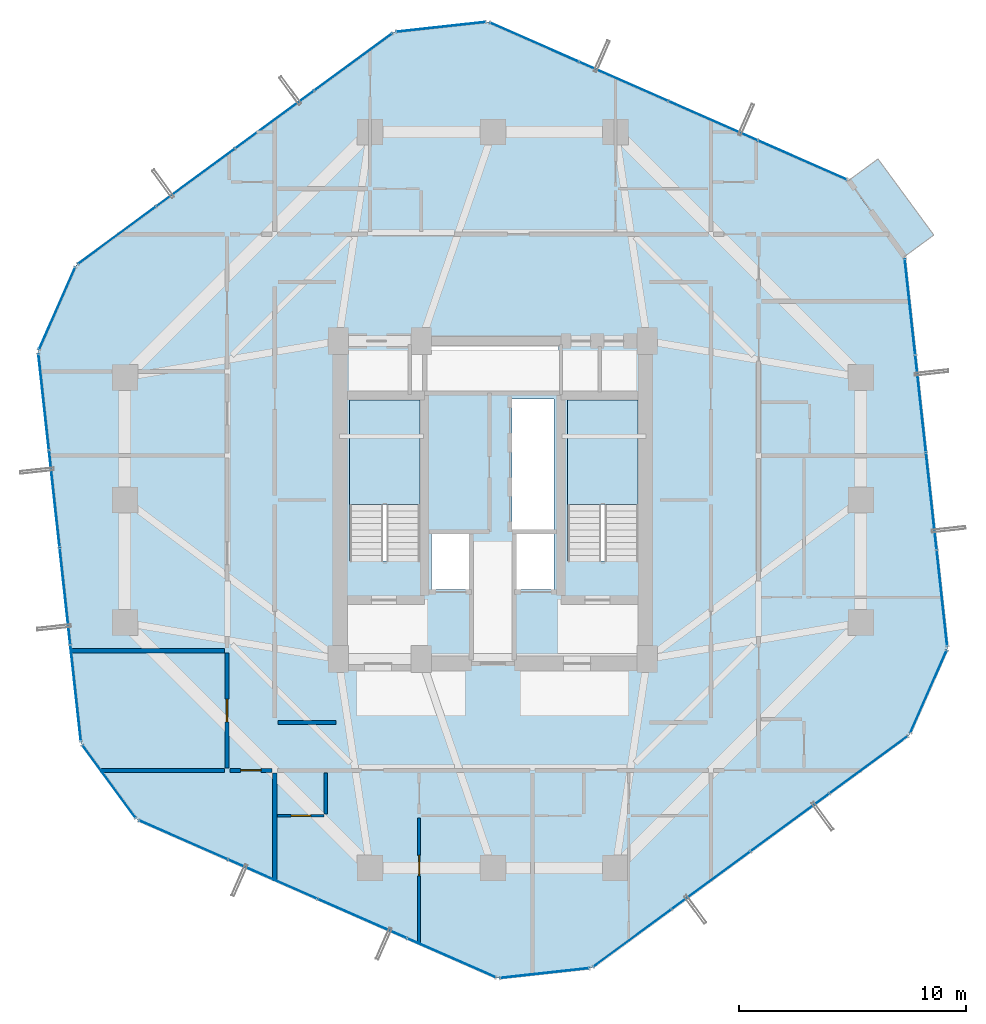
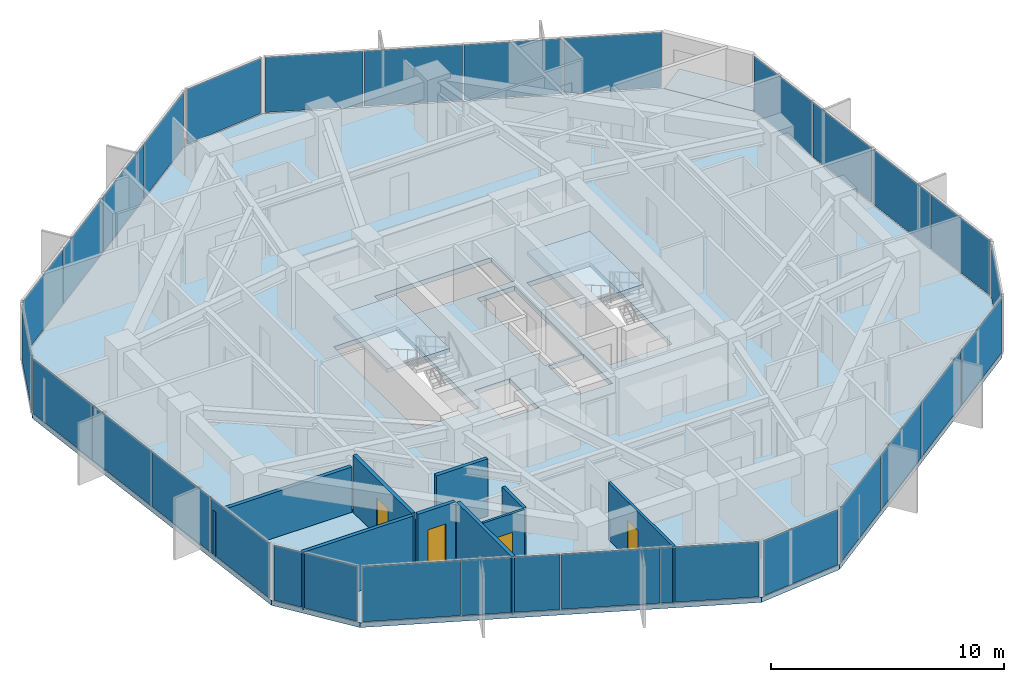
# One storey, part 28 of 34: 29 plates, 9 walls, 4 doors, 4 slabs, 4 openings, 13 elements without a shape of their own.
"""IFC4 building model written with IfcOpenShell, lengths in metres."""

import ifcopenshell
import ifcopenshell.guid

model = None  # the IFC model being written
_history = None  # IfcOwnerHistory: only IFC2X3 demands one
_inside = {}  # id of a spatial element -> (the spatial element, [elements in it])
_under = {}  # id of a project, library or spatial element -> (it, [spatial elements below it])
_declared = {}  # id of a project -> (the project, [libraries it declares])
_typed = {}  # id of a type object -> (the type object, [elements of that type])
_made_of = {}  # id of a material, layer set ... -> (it, [elements and type objects made of it])


def new_model(schema):
    """Start an empty IFC model of exactly this schema.

    Asked for "IFC4X3", IfcOpenShell would pick the latest addendum, in which some entities
    have other attributes; the version numbers below select the first issue.
    IFC2X3 requires an IfcOwnerHistory on every rooted entity: one is made here for all.
    """
    global model, _history
    if schema == "IFC4X3":
        model = ifcopenshell.file(schema_version=(4, 3, 0, 0))
    else:
        model = ifcopenshell.file(schema=schema)
    _inside.clear()
    _under.clear()
    _declared.clear()
    _typed.clear()
    _made_of.clear()
    _history = None
    if model.schema == "IFC2X3":
        org = make("IfcOrganization", Name="unknown")
        user = make(
            "IfcPersonAndOrganization",
            ThePerson=make("IfcPerson", FamilyName="unknown"),
            TheOrganization=org,
        )
        app = make(
            "IfcApplication",
            ApplicationDeveloper=org,
            Version="unknown",
            ApplicationFullName="unknown",
            ApplicationIdentifier="unknown",
        )
        _history = make(
            "IfcOwnerHistory",
            OwningUser=user,
            OwningApplication=app,
            ChangeAction="ADDED",
            CreationDate=0,
        )
    return model


def make(cls, **values):
    """One entity of the class cls with the attributes given. An attribute that is None is left unset."""
    return model.create_entity(
        cls, **{name: value for name, value in values.items() if value is not None}
    )


def rooted(cls, **values):
    """An entity with a GlobalId (a new one), such as an element, a storey or a relation."""
    return make(cls, GlobalId=ifcopenshell.guid.new(), OwnerHistory=_history, **values)


def si_unit(unit_type, name, prefix=None):
    """IfcSIUnit, for example si_unit("LENGTHUNIT", "METRE", prefix="MILLI")."""
    return make("IfcSIUnit", UnitType=unit_type, Prefix=prefix, Name=name)


def assignment(units):
    """IfcUnitAssignment: the units of a project."""
    return None if units is None else make("IfcUnitAssignment", Units=units)


def point(xyz):
    """IfcCartesianPoint."""
    return None if xyz is None else make("IfcCartesianPoint", Coordinates=xyz)


def direction(xyz):
    """IfcDirection."""
    return None if xyz is None else make("IfcDirection", DirectionRatios=xyz)


def frame(location, z_axis=None, x_axis=None):
    """IfcAxis2Placement3D, a coordinate frame: its origin and axes. An axis left out is left unset."""
    return make(
        "IfcAxis2Placement3D",
        Location=point(location),
        Axis=direction(z_axis),
        RefDirection=direction(x_axis),
    )


def frame_2d(location, x_axis=None):
    """IfcAxis2Placement2D, a coordinate frame in the plane: its origin and x axis."""
    return make(
        "IfcAxis2Placement2D", Location=point(location), RefDirection=direction(x_axis)
    )


def origin():
    """The frame at (0, 0, 0) with its axes left unset."""
    return frame((0.0, 0.0, 0.0))


def origin_2d():
    """The frame at (0, 0) in the plane with its x axis left unset."""
    return frame_2d((0.0, 0.0))


def place(relative_to, where):
    """IfcLocalPlacement: puts the frame where relative to a parent placement (None: the world)."""
    return make(
        "IfcLocalPlacement", PlacementRelTo=relative_to, RelativePlacement=where
    )


def context(
    kind, dimensions, precision=None, world=None, true_north=None, identifier=None
):
    """IfcGeometricRepresentationContext, for example the 3D "Model" context."""
    return make(
        "IfcGeometricRepresentationContext",
        ContextIdentifier=identifier,
        ContextType=kind,
        CoordinateSpaceDimension=dimensions,
        Precision=precision,
        WorldCoordinateSystem=world,
        TrueNorth=true_north,
    )


def subcontext(parent, identifier, kind, view, scale=None):
    """IfcGeometricRepresentationSubContext, for example "Body" below "Model"."""
    return make(
        "IfcGeometricRepresentationSubContext",
        ContextIdentifier=identifier,
        ContextType=kind,
        ParentContext=parent,
        TargetScale=scale,
        TargetView=view,
    )


def project(units=None, contexts=None):
    """IfcProject with its units and contexts."""
    return rooted(
        "IfcProject",
        Name="project",
        RepresentationContexts=contexts,
        UnitsInContext=assignment(units),
    )


def spatial(cls, under=None, at=None, **own):
    """A site, building, storey or space (cls), placed at a placement, below another one or the project."""
    s = rooted(cls, ObjectPlacement=at, **own)
    if under is not None:
        _under.setdefault(under.id(), (under, []))[1].append(s)
    return s


def polyline(points):
    """IfcPolyline through the points."""
    return make("IfcPolyline", Points=[point(p) for p in points])


def profile(cls, at=None, kind="AREA", **sizes):
    """A parametric profile (cls). Its sizes go by their IFC names, for example OverallWidth=200.0."""
    return make(cls, ProfileType=kind, Position=at, **sizes)


def rectangle(**sizes):
    """IfcRectangleProfileDef."""
    return profile("IfcRectangleProfileDef", **sizes)


def outline(outer, holes=None, kind="AREA"):
    """IfcArbitraryClosedProfileDef: a profile drawn as a closed curve; with holes, ...WithVoids."""
    if holes is None:
        return make("IfcArbitraryClosedProfileDef", ProfileType=kind, OuterCurve=outer)
    return make(
        "IfcArbitraryProfileDefWithVoids",
        ProfileType=kind,
        OuterCurve=outer,
        InnerCurves=holes,
    )


def extrude(swept, where, along, depth):
    """IfcExtrudedAreaSolid: the profile swept, set in the frame where, extruded along a direction by depth."""
    return make(
        "IfcExtrudedAreaSolid",
        SweptArea=swept,
        Position=where,
        ExtrudedDirection=direction(along),
        Depth=depth,
    )


def shape(context_of_items, identifier, shape_type, items):
    """IfcShapeRepresentation: the items that make up one representation, for example the "Body"."""
    return make(
        "IfcShapeRepresentation",
        ContextOfItems=context_of_items,
        RepresentationIdentifier=identifier,
        RepresentationType=shape_type,
        Items=items,
    )


def source(mapping_origin, context_of_items, identifier, shape_type, items):
    """IfcRepresentationMap: a shape defined once, which mapped items show again and again."""
    return make(
        "IfcRepresentationMap",
        MappingOrigin=mapping_origin,
        MappedRepresentation=shape(context_of_items, identifier, shape_type, items),
    )


def transform(
    local_origin,
    x_axis=None,
    y_axis=None,
    z_axis=None,
    scale=None,
    scale2=None,
    scale3=None,
    uniform=True,
):
    """IfcCartesianTransformationOperator3D, or its non-uniform kind. x_axis, y_axis, z_axis: its Axis1, 2, 3."""
    if uniform:
        return make(
            "IfcCartesianTransformationOperator3D",
            Axis1=direction(x_axis),
            Axis2=direction(y_axis),
            LocalOrigin=point(local_origin),
            Scale=scale,
            Axis3=direction(z_axis),
        )
    return make(
        "IfcCartesianTransformationOperator3DnonUniform",
        Axis1=direction(x_axis),
        Axis2=direction(y_axis),
        LocalOrigin=point(local_origin),
        Scale=scale,
        Axis3=direction(z_axis),
        Scale2=scale2,
        Scale3=scale3,
    )


def mapped(mapping_source, mapping_target):
    """IfcMappedItem: shows the shape of a source again, moved by a transform."""
    return make(
        "IfcMappedItem", MappingSource=mapping_source, MappingTarget=mapping_target
    )


def material(Name=None, Category=None):
    """IfcMaterial."""
    return make("IfcMaterial", Name=Name, Category=Category)


def layer(
    of_material, thickness, ventilated=None, Name=None, Category=None, Priority=None
):
    """IfcMaterialLayer: one layer of a wall or slab, of a material (None: an air gap)."""
    return make(
        "IfcMaterialLayer",
        Material=of_material,
        LayerThickness=thickness,
        IsVentilated=ventilated,
        Name=Name,
        Category=Category,
        Priority=Priority,
    )


def layer_set(layers, Name=None):
    """IfcMaterialLayerSet."""
    return make("IfcMaterialLayerSet", MaterialLayers=layers, LayerSetName=Name)


def made_of(thing, what):
    """Note that an element or type object is made of a material, layer set ...; save() writes the relation."""
    if what is not None:
        _made_of.setdefault(what.id(), (what, []))[1].append(thing)
    return thing


def type_object(cls, material=None, **own):
    """A type object (cls), such as IfcWallType, which elements share."""
    return made_of(rooted(cls, **own), material)


def element(
    cls,
    number,
    at=None,
    inside=None,
    cuts=None,
    type_object=None,
    material=None,
    context=None,
    identifier="Body",
    shape_type=None,
    held_by="IfcProductDefinitionShape",
    body=None,
    shapes=None,
    **own,
):
    """One element of the class cls, such as IfcWall. Its Tag is "e" and its number.

    at: its placement. inside: the storey or other place that contains it. cuts: it is an
    opening in that element (IfcRelVoidsElement). A single representation is given by context,
    identifier, shape_type and body (its items); several are given by shapes. held_by: the class
    of the entity that holds the representations. save() writes the other relations.
    """
    e = rooted(cls, Tag="e%d" % number, ObjectPlacement=at, **own)
    if body is not None:
        shapes = [shape(context, identifier, shape_type, body)]
    if shapes is not None:
        e.Representation = make(held_by, Representations=shapes)
    if inside is not None:
        _inside.setdefault(inside.id(), (inside, []))[1].append(e)
    if cuts is not None:
        rooted(
            "IfcRelVoidsElement", RelatingBuildingElement=cuts, RelatedOpeningElement=e
        )
    if type_object is not None:
        _typed.setdefault(type_object.id(), (type_object, []))[1].append(e)
    return made_of(e, material)


def fill(opening, filler):
    """IfcRelFillsElement: the door or window that sits in an opening."""
    return rooted(
        "IfcRelFillsElement",
        RelatingOpeningElement=opening,
        RelatedBuildingElement=filler,
    )


def aggregate(whole, parts):
    """IfcRelAggregates: a whole, such as a stair, and the parts it consists of."""
    return rooted("IfcRelAggregates", RelatingObject=whole, RelatedObjects=parts)


def save(model, path):
    """Write the relations noted so far, then the file.

    IfcRelAggregates (storeys below a building ...), IfcRelContainedInSpatialStructure (elements
    in a storey), IfcRelDefinesByType, IfcRelAssociatesMaterial and IfcRelDeclares: one each for
    every whole, place, type object, material and project.
    """
    for whole, parts in _under.values():
        aggregate(whole, parts)
    for where, things in _inside.values():
        rooted(
            "IfcRelContainedInSpatialStructure",
            RelatedElements=things,
            RelatingStructure=where,
        )
    for kind, things in _typed.values():
        rooted("IfcRelDefinesByType", RelatedObjects=things, RelatingType=kind)
    for what, things in _made_of.values():
        rooted("IfcRelAssociatesMaterial", RelatedObjects=things, RelatingMaterial=what)
    for by, libraries in _declared.values():
        rooted("IfcRelDeclares", RelatingContext=by, RelatedDefinitions=libraries)
    model.write(path)


model = new_model("IFC4")

# Units and contexts
model_context = context("Model", 3, precision=1e-05, world=origin(), true_north=direction((0.0, 1.0)))
body_context = subcontext(model_context, "Body", "Model", "MODEL_VIEW")
ifc_project = project(units=[si_unit("LENGTHUNIT", "METRE"), si_unit("AREAUNIT", "SQUARE_METRE"), si_unit("VOLUMEUNIT", "CUBIC_METRE"), si_unit("PLANEANGLEUNIT", "RADIAN"), si_unit("MASSUNIT", "GRAM", prefix="KILO")], contexts=[model_context])

# Site, building, storey
site_placement = place(None, origin())
site = spatial("IfcSite", under=ifc_project, at=site_placement, CompositionType="ELEMENT")
building_placement = place(site_placement, origin())
building = spatial("IfcBuilding", under=site, at=building_placement, Name="Veraguas Prism Commons", CompositionType="ELEMENT")
storey_placement = place(building_placement, frame((0.0, 0.0, 149.0)))
storey = spatial("IfcBuildingStorey", under=building, at=storey_placement, Name="L42", CompositionType="ELEMENT", Elevation=149.0)

# Stair, slab
ifc_material_1 = material(Name="Precast concrete C45/55", Category="concrete")
stair_type = type_object("IfcStairType", Name="Dogleg Core Stair 1480W 20R 05", PredefinedType="HALF_TURN_STAIR", material=ifc_material_1)
stair_1_placement = place(storey_placement, origin())
stair_1 = element("IfcStair", 1, at=stair_1_placement, inside=storey, type_object=stair_type, Name="Protected Exit Stair ST-01 L42", PredefinedType="HALF_TURN_STAIR")
ifc_layer_1 = layer(ifc_material_1, 0.199951171875, Name="Precast Stair and Ramp Landing Slab 200", Category="concrete")
ifc_layer_set_1 = layer_set([ifc_layer_1], Name="Precast concrete C45/55")
slab_type_1 = type_object("IfcSlabType", Name="Precast Stair and Ramp Landing Slab 200", PredefinedType="LANDING", material=ifc_layer_set_1)
slab_1_placement = place(storey_placement, frame((0.0, 0.0, 1.425048828125)))
slab_1 = element("IfcSlab", 2, at=slab_1_placement, type_object=slab_type_1, Name="ST-05 Landing 1", PredefinedType="LANDING", context=body_context, shape_type="SweptSolid", body=[
    extrude(outline(polyline([(20.800048828125, 23.800048828125), (20.800048828125, 28.39990234375), (17.68994140625, 28.39990234375), (17.68994140625, 23.800048828125), (20.800048828125, 23.800048828125)])), origin(), (0.0, 0.0, 1.0), 0.199951171875),
])
aggregate(stair_1, [slab_1])

stair_2_placement = place(storey_placement, origin())
stair_2 = element("IfcStair", 3, at=stair_2_placement, inside=storey, type_object=stair_type, Name="Protected Exit Stair ST-02 L42", PredefinedType="HALF_TURN_STAIR")
slab_2_placement = place(storey_placement, frame((0.0, 0.0, 1.425048828125)))
slab_2 = element("IfcSlab", 4, at=slab_2_placement, type_object=slab_type_1, Name="ST-05 Landing 1", PredefinedType="LANDING", context=body_context, shape_type="SweptSolid", body=[
    extrude(outline(polyline([(30.39990234375, 23.800048828125), (30.39990234375, 28.39990234375), (27.2900390625, 28.39990234375), (27.2900390625, 23.800048828125), (30.39990234375, 23.800048828125)])), origin(), (0.0, 0.0, 1.0), 0.199951171875),
])
aggregate(stair_2, [slab_2])

# Slabs
ifc_material_2 = material(Name="Concrete C45/55", Category="concrete")
ifc_layer_2 = layer(ifc_material_2, 0.219970703125, Name="Recessed Loggia and Terrace Slab RC 220", Category="concrete")
ifc_layer_set_2 = layer_set([ifc_layer_2], Name="Concrete C45/55")
slab_type_2 = type_object("IfcSlabType", Name="Recessed Loggia and Terrace Slab RC 220", PredefinedType="FLOOR", material=ifc_layer_set_2)
slab_3_placement = place(storey_placement, frame((0.0, 0.0, -0.219970703125)))
element("IfcSlab", 5, at=slab_3_placement, inside=storey, type_object=slab_type_2, Name="Recessed Corner Loggia L42-C1", PredefinedType="FLOOR", context=body_context, shape_type="SweptSolid", body=[
    extrude(outline(polyline([(42.105712890625, 34.705322265625), (43.412109375, 35.663330078125), (40.955810546875, 39.01220703125), (39.6494140625, 38.05419921875), (42.105712890625, 34.705322265625)])), origin(), (0.0, 0.0, 1.0), 0.219970703125),
])
ifc_layer_3 = layer(ifc_material_2, 0.25, Name="Tower Lower Residential Floor Slab RC 250", Category="concrete")
ifc_layer_set_3 = layer_set([ifc_layer_3], Name="Concrete C45/55")
slab_type_3 = type_object("IfcSlabType", Name="Tower Lower Residential Floor Slab RC 250", PredefinedType="FLOOR", material=ifc_layer_set_3)
slab_4_placement = place(storey_placement, frame((0.0, 0.0, -0.25)))
element("IfcSlab", 6, at=slab_4_placement, inside=storey, type_object=slab_type_3, Name="Tower Floor Slab L42", PredefinedType="FLOOR", context=body_context, shape_type="SweptSolid", body=[
    extrude(outline(polyline([(42.121826171875, 34.717041015625), (39.66552734375, 38.06591796875), (23.77978515625, 45.052490234375), (19.6513671875, 44.599609375), (5.65771484375, 34.33544921875), (3.98583984375, 30.53369140625), (5.878173828125, 13.282958984375), (8.33447265625, 9.93408203125), (24.22021484375, 2.947509765625), (28.3486328125, 3.400390625), (42.34228515625, 13.66455078125), (44.01416015625, 17.46630859375), (42.121826171875, 34.717041015625)]), holes=[polyline([(20.800048828125, 21.31005859375), (20.800048828125, 28.39990234375), (17.68994140625, 28.39990234375), (17.68994140625, 21.31005859375), (20.800048828125, 21.31005859375)]), polyline([(30.39990234375, 21.31005859375), (30.39990234375, 28.39990234375), (27.2900390625, 28.39990234375), (27.2900390625, 21.31005859375), (30.39990234375, 21.31005859375)]), polyline([(24.85009765625, 22.64990234375), (26.699951171875, 22.64990234375), (26.699951171875, 28.449951171875), (24.85009765625, 28.449951171875), (24.85009765625, 22.64990234375)]), polyline([(21.10009765625, 28.800048828125), (26.89990234375, 28.800048828125), (26.89990234375, 30.800048828125), (21.10009765625, 30.800048828125), (21.10009765625, 28.800048828125)]), polyline([(21.300048828125, 20.050048828125), (23.050048828125, 20.050048828125), (23.050048828125, 22.550048828125), (21.300048828125, 22.550048828125), (21.300048828125, 20.050048828125)]), polyline([(24.949951171875, 20.050048828125), (26.699951171875, 20.050048828125), (26.699951171875, 22.550048828125), (24.949951171875, 22.550048828125), (24.949951171875, 20.050048828125)])]), origin(), (0.0, 0.0, 1.0), 0.25),
])

# Curtain wall, plates
ifc_material_3 = material(Name="Anodised aluminium EN AW-6063 T6", Category="aluminium")
ifc_layer_4 = layer(ifc_material_3, 0.169921875, Name="Unitised Flush Curtain Wall Zone 2", Category="aluminium")
ifc_layer_set_4 = layer_set([ifc_layer_4], Name="Anodised aluminium EN AW-6063 T6")
curtain_wall_type = type_object("IfcCurtainWallType", Name="Unitised Flush Curtain Wall Zone 2", PredefinedType="NOTDEFINED", material=ifc_layer_set_4)
curtain_wall_1_placement = place(storey_placement, origin())
curtain_wall_1 = element("IfcCurtainWall", 7, at=curtain_wall_1_placement, inside=storey, type_object=curtain_wall_type, Name="Tower Facade Curtain Wall L42-F1", PredefinedType="NOTDEFINED")
ifc_material_4 = material(Name="Laminated low-e glass", Category="glass")
ifc_layer_5 = layer(ifc_material_4, 0.028076171875, Name="Unitised Double Low-E Glazed Panel 28", Category="glass")
ifc_layer_set_5 = layer_set([ifc_layer_5], Name="Laminated low-e glass")
plate_type = type_object("IfcPlateType", Name="Unitised Double Low-E Glazed Panel 28", PredefinedType="CURTAIN_PANEL", material=ifc_layer_set_5)
shared_shape_1 = source(origin(), body_context, "Body", "SweptSolid", [
    extrude(rectangle(XDim=4.218505859375, YDim=0.028076171875, at=origin_2d()), origin(), (0.0, 0.0, 1.0), 2.889892578125),
])
plate_1_placement = place(storey_placement, frame((37.625, 38.963623046875, 0.05517578125), z_axis=(0.0, 0.0, 1.0), x_axis=(-0.915385270935, 0.402578943507, 0.0)))
plate_1 = element("IfcPlate", 8, at=plate_1_placement, type_object=plate_type, Name="CW-Z2 Panel 1.1", PredefinedType="CURTAIN_PANEL", context=body_context, shape_type="MappedRepresentation", body=[
    mapped(shared_shape_1, transform((0.0, 0.0, 0.0), scale=1.0)),
])
plate_2_placement = place(storey_placement, frame((25.8203125, 44.155029296875, 0.05517578125), z_axis=(0.0, 0.0, 1.0), x_axis=(-0.915385270935, 0.402578943507, 0.0)))
plate_2 = element("IfcPlate", 9, at=plate_2_placement, type_object=plate_type, Name="CW-Z2 Panel 4.1", PredefinedType="CURTAIN_PANEL", context=body_context, shape_type="MappedRepresentation", body=[
    mapped(shared_shape_1, transform((0.0, 0.0, 0.0), scale=1.0)),
])

curtain_wall_2_placement = place(storey_placement, origin())
curtain_wall_2 = element("IfcCurtainWall", 10, at=curtain_wall_2_placement, inside=storey, type_object=curtain_wall_type, Name="Tower Facade Curtain Wall L42-F2", PredefinedType="NOTDEFINED")
plate_3_placement = place(storey_placement, frame((17.853759765625, 43.28125, 0.05517578125), z_axis=(0.0, 0.0, 1.0), x_axis=(-0.806343453529, -0.591447575826, 0.0)))
plate_3 = element("IfcPlate", 11, at=plate_3_placement, type_object=plate_type, Name="CW-Z2 Panel 1.1", PredefinedType="CURTAIN_PANEL", context=body_context, shape_type="MappedRepresentation", body=[
    mapped(shared_shape_1, transform((0.0, 0.0, 0.0), scale=1.0)),
])
plate_4_placement = place(storey_placement, frame((7.455322265625, 35.654052734375, 0.05517578125), z_axis=(0.0, 0.0, 1.0), x_axis=(-0.806343453529, -0.591447575826, 0.0)))
plate_4 = element("IfcPlate", 12, at=plate_4_placement, type_object=plate_type, Name="CW-Z2 Panel 4.1", PredefinedType="CURTAIN_PANEL", context=body_context, shape_type="MappedRepresentation", body=[
    mapped(shared_shape_1, transform((0.0, 0.0, 0.0), scale=1.0)),
])

curtain_wall_3_placement = place(storey_placement, origin())
curtain_wall_3 = element("IfcCurtainWall", 13, at=curtain_wall_3_placement, inside=storey, type_object=curtain_wall_type, Name="Tower Facade Curtain Wall L42-F3", PredefinedType="NOTDEFINED")
plate_5_placement = place(storey_placement, frame((4.228759765625, 28.31787109375, 0.05517578125), z_axis=(0.0, 0.0, 1.0), x_axis=(0.109043838598, -0.994036941599, 0.0)))
plate_5 = element("IfcPlate", 14, at=plate_5_placement, type_object=plate_type, Name="CW-Z2 Panel 1.1", PredefinedType="CURTAIN_PANEL", context=body_context, shape_type="MappedRepresentation", body=[
    mapped(shared_shape_1, transform((0.0, 0.0, 0.0), scale=1.0)),
])
plate_6_placement = place(storey_placement, frame((5.635009765625, 15.498779296875, 0.05517578125), z_axis=(0.0, 0.0, 1.0), x_axis=(0.109043838598, -0.994036941599, 0.0)))
plate_6 = element("IfcPlate", 15, at=plate_6_placement, type_object=plate_type, Name="CW-Z2 Panel 4.1", PredefinedType="CURTAIN_PANEL", context=body_context, shape_type="MappedRepresentation", body=[
    mapped(shared_shape_1, transform((0.0, 0.0, 0.0), scale=1.0)),
])

curtain_wall_4_placement = place(storey_placement, origin())
curtain_wall_4 = element("IfcCurtainWall", 16, at=curtain_wall_4_placement, inside=storey, type_object=curtain_wall_type, Name="Tower Facade Curtain Wall L42-F4", PredefinedType="NOTDEFINED")
plate_7_placement = place(storey_placement, frame((10.375, 9.036376953125, 0.05517578125), z_axis=(0.0, 0.0, 1.0), x_axis=(0.915385270935, -0.402578943507, 0.0)))
plate_7 = element("IfcPlate", 17, at=plate_7_placement, type_object=plate_type, Name="CW-Z2 Panel 1.1", PredefinedType="CURTAIN_PANEL", context=body_context, shape_type="MappedRepresentation", body=[
    mapped(shared_shape_1, transform((0.0, 0.0, 0.0), scale=1.0)),
])
plate_8_placement = place(storey_placement, frame((22.1796875, 3.844970703125, 0.05517578125), z_axis=(0.0, 0.0, 1.0), x_axis=(0.915385270935, -0.402578943507, 0.0)))
plate_8 = element("IfcPlate", 18, at=plate_8_placement, type_object=plate_type, Name="CW-Z2 Panel 4.1", PredefinedType="CURTAIN_PANEL", context=body_context, shape_type="MappedRepresentation", body=[
    mapped(shared_shape_1, transform((0.0, 0.0, 0.0), scale=1.0)),
])

curtain_wall_5_placement = place(storey_placement, origin())
curtain_wall_5 = element("IfcCurtainWall", 19, at=curtain_wall_5_placement, inside=storey, type_object=curtain_wall_type, Name="Tower Facade Curtain Wall L42-F5", PredefinedType="NOTDEFINED")
plate_9_placement = place(storey_placement, frame((30.146240234375, 4.71875, 0.05517578125), z_axis=(0.0, 0.0, 1.0), x_axis=(0.806343453529, 0.591447575826, 0.0)))
plate_9 = element("IfcPlate", 20, at=plate_9_placement, type_object=plate_type, Name="CW-Z2 Panel 1.1", PredefinedType="CURTAIN_PANEL", context=body_context, shape_type="MappedRepresentation", body=[
    mapped(shared_shape_1, transform((0.0, 0.0, 0.0), scale=1.0)),
])
plate_10_placement = place(storey_placement, frame((40.544677734375, 12.345947265625, 0.05517578125), z_axis=(0.0, 0.0, 1.0), x_axis=(0.806343453529, 0.591447575826, 0.0)))
plate_10 = element("IfcPlate", 21, at=plate_10_placement, type_object=plate_type, Name="CW-Z2 Panel 4.1", PredefinedType="CURTAIN_PANEL", context=body_context, shape_type="MappedRepresentation", body=[
    mapped(shared_shape_1, transform((0.0, 0.0, 0.0), scale=1.0)),
])

curtain_wall_6_placement = place(storey_placement, origin())
curtain_wall_6 = element("IfcCurtainWall", 22, at=curtain_wall_6_placement, inside=storey, type_object=curtain_wall_type, Name="Tower Facade Curtain Wall L42-F6", PredefinedType="NOTDEFINED")
plate_11_placement = place(storey_placement, frame((43.771240234375, 19.68212890625, 0.05517578125), z_axis=(0.0, 0.0, 1.0), x_axis=(-0.109043838598, 0.994036941599, 0.0)))
plate_11 = element("IfcPlate", 23, at=plate_11_placement, type_object=plate_type, Name="CW-Z2 Panel 1.1", PredefinedType="CURTAIN_PANEL", context=body_context, shape_type="MappedRepresentation", body=[
    mapped(shared_shape_1, transform((0.0, 0.0, 0.0), scale=1.0)),
])
plate_12_placement = place(storey_placement, frame((42.364990234375, 32.501220703125, 0.05517578125), z_axis=(0.0, 0.0, 1.0), x_axis=(-0.109043838598, 0.994036941599, 0.0)))
plate_12 = element("IfcPlate", 24, at=plate_12_placement, type_object=plate_type, Name="CW-Z2 Panel 4.1", PredefinedType="CURTAIN_PANEL", context=body_context, shape_type="MappedRepresentation", body=[
    mapped(shared_shape_1, transform((0.0, 0.0, 0.0), scale=1.0)),
])

# Plate
shared_shape_2 = source(origin(), body_context, "Body", "SweptSolid", [
    extrude(rectangle(XDim=4.24853515625, YDim=0.028076171875, at=origin_2d()), origin(), (0.0, 0.0, 1.0), 2.889892578125),
])
plate_13_placement = place(storey_placement, frame((33.694580078125, 40.692138671875, 0.05517578125), z_axis=(0.0, 0.0, 1.0), x_axis=(-0.915385270935, 0.402578943507, 0.0)))
plate_13 = element("IfcPlate", 25, at=plate_13_placement, type_object=plate_type, Name="CW-Z2 Panel 2.1", PredefinedType="CURTAIN_PANEL", context=body_context, shape_type="MappedRepresentation", body=[
    mapped(shared_shape_2, transform((0.0, 0.0, 0.0), scale=1.0)),
])

plate_14_placement = place(storey_placement, frame((29.750732421875, 42.426513671875, 0.05517578125), z_axis=(0.0, 0.0, 1.0), x_axis=(-0.915385270935, 0.402578943507, 0.0)))
plate_14 = element("IfcPlate", 26, at=plate_14_placement, type_object=plate_type, Name="CW-Z2 Panel 3.1", PredefinedType="CURTAIN_PANEL", context=body_context, shape_type="MappedRepresentation", body=[
    mapped(shared_shape_2, transform((0.0, 0.0, 0.0), scale=1.0)),
])

aggregate(curtain_wall_1, [plate_1, plate_13, plate_14, plate_2])

plate_15_placement = place(storey_placement, frame((14.3916015625, 40.74169921875, 0.05517578125), z_axis=(0.0, 0.0, 1.0), x_axis=(-0.806343453529, -0.591447575826, 0.0)))
plate_15 = element("IfcPlate", 27, at=plate_15_placement, type_object=plate_type, Name="CW-Z2 Panel 2.1", PredefinedType="CURTAIN_PANEL", context=body_context, shape_type="MappedRepresentation", body=[
    mapped(shared_shape_2, transform((0.0, 0.0, 0.0), scale=1.0)),
])

plate_16_placement = place(storey_placement, frame((10.91748046875, 38.193359375, 0.05517578125), z_axis=(0.0, 0.0, 1.0), x_axis=(-0.806343453529, -0.591447575826, 0.0)))
plate_16 = element("IfcPlate", 28, at=plate_16_placement, type_object=plate_type, Name="CW-Z2 Panel 3.1", PredefinedType="CURTAIN_PANEL", context=body_context, shape_type="MappedRepresentation", body=[
    mapped(shared_shape_2, transform((0.0, 0.0, 0.0), scale=1.0)),
])

aggregate(curtain_wall_2, [plate_3, plate_15, plate_16, plate_4])

plate_17_placement = place(storey_placement, frame((4.697021484375, 24.0498046875, 0.05517578125), z_axis=(0.0, 0.0, 1.0), x_axis=(0.109043838598, -0.994036941599, 0.0)))
plate_17 = element("IfcPlate", 29, at=plate_17_placement, type_object=plate_type, Name="CW-Z2 Panel 2.1", PredefinedType="CURTAIN_PANEL", context=body_context, shape_type="MappedRepresentation", body=[
    mapped(shared_shape_2, transform((0.0, 0.0, 0.0), scale=1.0)),
])

plate_18_placement = place(storey_placement, frame((5.166748046875, 19.766845703125, 0.05517578125), z_axis=(0.0, 0.0, 1.0), x_axis=(0.109043838598, -0.994036941599, 0.0)))
plate_18 = element("IfcPlate", 30, at=plate_18_placement, type_object=plate_type, Name="CW-Z2 Panel 3.1", PredefinedType="CURTAIN_PANEL", context=body_context, shape_type="MappedRepresentation", body=[
    mapped(shared_shape_2, transform((0.0, 0.0, 0.0), scale=1.0)),
])

aggregate(curtain_wall_3, [plate_5, plate_17, plate_18, plate_6])

plate_19_placement = place(storey_placement, frame((14.305419921875, 7.307861328125, 0.05517578125), z_axis=(0.0, 0.0, 1.0), x_axis=(0.915385270935, -0.402578943507, 0.0)))
plate_19 = element("IfcPlate", 31, at=plate_19_placement, type_object=plate_type, Name="CW-Z2 Panel 2.1", PredefinedType="CURTAIN_PANEL", context=body_context, shape_type="MappedRepresentation", body=[
    mapped(shared_shape_2, transform((0.0, 0.0, 0.0), scale=1.0)),
])

plate_20_placement = place(storey_placement, frame((18.249267578125, 5.573486328125, 0.05517578125), z_axis=(0.0, 0.0, 1.0), x_axis=(0.915385270935, -0.402578943507, 0.0)))
plate_20 = element("IfcPlate", 32, at=plate_20_placement, type_object=plate_type, Name="CW-Z2 Panel 3.1", PredefinedType="CURTAIN_PANEL", context=body_context, shape_type="MappedRepresentation", body=[
    mapped(shared_shape_2, transform((0.0, 0.0, 0.0), scale=1.0)),
])

aggregate(curtain_wall_4, [plate_7, plate_19, plate_20, plate_8])

plate_21_placement = place(storey_placement, frame((33.6083984375, 7.25830078125, 0.05517578125), z_axis=(0.0, 0.0, 1.0), x_axis=(0.806343453529, 0.591447575826, 0.0)))
plate_21 = element("IfcPlate", 33, at=plate_21_placement, type_object=plate_type, Name="CW-Z2 Panel 2.1", PredefinedType="CURTAIN_PANEL", context=body_context, shape_type="MappedRepresentation", body=[
    mapped(shared_shape_2, transform((0.0, 0.0, 0.0), scale=1.0)),
])

plate_22_placement = place(storey_placement, frame((37.08251953125, 9.806640625, 0.05517578125), z_axis=(0.0, 0.0, 1.0), x_axis=(0.806343453529, 0.591447575826, 0.0)))
plate_22 = element("IfcPlate", 34, at=plate_22_placement, type_object=plate_type, Name="CW-Z2 Panel 3.1", PredefinedType="CURTAIN_PANEL", context=body_context, shape_type="MappedRepresentation", body=[
    mapped(shared_shape_2, transform((0.0, 0.0, 0.0), scale=1.0)),
])

aggregate(curtain_wall_5, [plate_9, plate_21, plate_22, plate_10])

plate_23_placement = place(storey_placement, frame((43.302978515625, 23.9501953125, 0.05517578125), z_axis=(0.0, 0.0, 1.0), x_axis=(-0.109043838598, 0.994036941599, 0.0)))
plate_23 = element("IfcPlate", 35, at=plate_23_placement, type_object=plate_type, Name="CW-Z2 Panel 2.1", PredefinedType="CURTAIN_PANEL", context=body_context, shape_type="MappedRepresentation", body=[
    mapped(shared_shape_2, transform((0.0, 0.0, 0.0), scale=1.0)),
])

plate_24_placement = place(storey_placement, frame((42.833251953125, 28.233154296875, 0.05517578125), z_axis=(0.0, 0.0, 1.0), x_axis=(-0.109043838598, 0.994036941599, 0.0)))
plate_24 = element("IfcPlate", 36, at=plate_24_placement, type_object=plate_type, Name="CW-Z2 Panel 3.1", PredefinedType="CURTAIN_PANEL", context=body_context, shape_type="MappedRepresentation", body=[
    mapped(shared_shape_2, transform((0.0, 0.0, 0.0), scale=1.0)),
])

aggregate(curtain_wall_6, [plate_11, plate_23, plate_24, plate_12])

# Curtain wall, plate
curtain_wall_7_placement = place(storey_placement, origin())
curtain_wall_7 = element("IfcCurtainWall", 37, at=curtain_wall_7_placement, inside=storey, type_object=curtain_wall_type, Name="Chamfer Curtain Wall L42-C3", PredefinedType="NOTDEFINED")
shared_shape_3 = source(origin(), body_context, "Body", "SweptSolid", [
    extrude(rectangle(XDim=3.9130859375, YDim=0.028076171875, at=origin_2d()), origin(), (0.0, 0.0, 1.0), 2.889892578125),
])
plate_25_placement = place(storey_placement, frame((4.82177734375, 32.4345703125, 0.05517578125), z_axis=(0.0, 0.0, 1.0), x_axis=(-0.402543794939, -0.915400728182, 0.0)))
plate_25 = element("IfcPlate", 38, at=plate_25_placement, type_object=plate_type, Name="CW-Z2 Panel 1.1", PredefinedType="CURTAIN_PANEL", context=body_context, shape_type="MappedRepresentation", body=[
    mapped(shared_shape_3, transform((0.0, 0.0, 0.0), scale=1.0)),
])
aggregate(curtain_wall_7, [plate_25])

curtain_wall_8_placement = place(storey_placement, origin())
curtain_wall_8 = element("IfcCurtainWall", 39, at=curtain_wall_8_placement, inside=storey, type_object=curtain_wall_type, Name="Chamfer Curtain Wall L42-C4", PredefinedType="NOTDEFINED")
plate_26_placement = place(storey_placement, frame((7.106201171875, 11.6083984375, 0.05517578125), z_axis=(0.0, 0.0, 1.0), x_axis=(0.591432095034, -0.806354808359, 0.0)))
plate_26 = element("IfcPlate", 40, at=plate_26_placement, type_object=plate_type, Name="CW-Z2 Panel 1.1", PredefinedType="CURTAIN_PANEL", context=body_context, shape_type="MappedRepresentation", body=[
    mapped(shared_shape_3, transform((0.0, 0.0, 0.0), scale=1.0)),
])
aggregate(curtain_wall_8, [plate_26])

curtain_wall_9_placement = place(storey_placement, origin())
curtain_wall_9 = element("IfcCurtainWall", 41, at=curtain_wall_9_placement, inside=storey, type_object=curtain_wall_type, Name="Chamfer Curtain Wall L42-C6", PredefinedType="NOTDEFINED")
plate_27_placement = place(storey_placement, frame((43.17822265625, 15.5654296875, 0.05517578125), z_axis=(0.0, 0.0, 1.0), x_axis=(0.402543794939, 0.915400728182, 0.0)))
plate_27 = element("IfcPlate", 42, at=plate_27_placement, type_object=plate_type, Name="CW-Z2 Panel 1.1", PredefinedType="CURTAIN_PANEL", context=body_context, shape_type="MappedRepresentation", body=[
    mapped(shared_shape_3, transform((0.0, 0.0, 0.0), scale=1.0)),
])
aggregate(curtain_wall_9, [plate_27])

curtain_wall_10_placement = place(storey_placement, origin())
curtain_wall_10 = element("IfcCurtainWall", 43, at=curtain_wall_10_placement, inside=storey, type_object=curtain_wall_type, Name="Chamfer Curtain Wall L42-C2", PredefinedType="NOTDEFINED")
shared_shape_4 = source(origin(), body_context, "Body", "SweptSolid", [
    extrude(rectangle(XDim=3.913330078125, YDim=0.028076171875, at=origin_2d()), origin(), (0.0, 0.0, 1.0), 2.889892578125),
])
plate_28_placement = place(storey_placement, frame((21.715576171875, 44.826171875, 0.05517578125), z_axis=(0.0, 0.0, 1.0), x_axis=(-0.994034276859, -0.10906812747, 0.0)))
plate_28 = element("IfcPlate", 44, at=plate_28_placement, type_object=plate_type, Name="CW-Z2 Panel 1.1", PredefinedType="CURTAIN_PANEL", context=body_context, shape_type="MappedRepresentation", body=[
    mapped(shared_shape_4, transform((0.0, 0.0, 0.0), scale=1.0)),
])
aggregate(curtain_wall_10, [plate_28])

curtain_wall_11_placement = place(storey_placement, origin())
curtain_wall_11 = element("IfcCurtainWall", 45, at=curtain_wall_11_placement, inside=storey, type_object=curtain_wall_type, Name="Chamfer Curtain Wall L42-C5", PredefinedType="NOTDEFINED")
plate_29_placement = place(storey_placement, frame((26.284423828125, 3.173828125, 0.05517578125), z_axis=(0.0, 0.0, 1.0), x_axis=(0.994034276859, 0.10906812747, 0.0)))
plate_29 = element("IfcPlate", 46, at=plate_29_placement, type_object=plate_type, Name="CW-Z2 Panel 1.1", PredefinedType="CURTAIN_PANEL", context=body_context, shape_type="MappedRepresentation", body=[
    mapped(shared_shape_4, transform((0.0, 0.0, 0.0), scale=1.0)),
])
aggregate(curtain_wall_11, [plate_29])

# Walls
ifc_material_5 = material(Name="Autoclaved aerated masonry block 10 MPa", Category="masonry")
ifc_layer_6 = layer(ifc_material_5, 0.179931640625, Name="Corridor and Inter-Tenancy Partition 180", Category="masonry")
ifc_layer_set_6 = layer_set([ifc_layer_6], Name="Autoclaved aerated masonry block 10 MPa")
wall_type_1 = type_object("IfcWallType", Name="Corridor and Inter-Tenancy Partition 180", PredefinedType="PARTITIONING", material=ifc_layer_set_6)
wall_1_placement = place(storey_placement, frame((14.550048828125, 14.199951171875, 0.0), z_axis=(0.0, 0.0, 1.0), x_axis=(1.0, 0.0, 0.0)))
element("IfcWall", 47, at=wall_1_placement, inside=storey, type_object=wall_type_1, Name="WL-L42-IRWS", PredefinedType="PARTITIONING", context=body_context, shape_type="SweptSolid", body=[
    extrude(rectangle(XDim=2.550048828125, YDim=0.179931640625, at=frame_2d((1.27490234375, 0.0))), origin(), (0.0, 0.0, 1.0), 3.0),
])
wall_2_placement = place(storey_placement, frame((14.39990234375, 11.97998046875, 0.0), z_axis=(0.0, 0.0, 1.0), x_axis=(0.0, -1.0, 0.0)))
element("IfcWall", 48, at=wall_2_placement, inside=storey, type_object=wall_type_1, Name="WL-L42-PT001", PredefinedType="PARTITIONING", context=body_context, shape_type="SweptSolid", body=[
    extrude(rectangle(XDim=4.746337890625, YDim=0.179931640625, at=frame_2d((2.373046875, 0.0))), origin(), (0.0, 0.0, 1.0), 3.0),
])
wall_3_placement = place(storey_placement, frame((12.179931640625, 12.10009765625, 0.0), z_axis=(0.0, 0.0, 1.0), x_axis=(-1.0, 0.0, 0.0)))
element("IfcWall", 49, at=wall_3_placement, inside=storey, type_object=wall_type_1, Name="WL-L42-PT028", PredefinedType="PARTITIONING", context=body_context, shape_type="SweptSolid", body=[
    extrude(rectangle(XDim=5.471435546875, YDim=0.179931640625, at=frame_2d((2.73583984375, 0.0))), origin(), (0.0, 0.0, 1.0), 3.0),
])

# Wall, opening, door
wall_4_placement = place(storey_placement, frame((12.300048828125, 12.2099609375, 0.0), z_axis=(0.0, 0.0, 1.0), x_axis=(0.0, 1.0, 0.0)))
wall_4 = element("IfcWall", 50, at=wall_4_placement, inside=storey, type_object=wall_type_1, Name="WL-L42-PT030", PredefinedType="PARTITIONING", context=body_context, shape_type="SweptSolid", body=[
    extrude(rectangle(XDim=5.0439453125, YDim=0.179931640625, at=frame_2d((2.52197265625, 0.0))), origin(), (0.0, 0.0, 1.0), 3.0),
])
opening_1_placement = place(wall_4_placement, frame((2.02197265625, 0.0, 0.0)))
opening_1 = element("IfcOpeningElement", 51, at=opening_1_placement, cuts=wall_4, Name="Opening DR-13", PredefinedType="OPENING", context=body_context, shape_type="SweptSolid", body=[
    extrude(rectangle(XDim=1.0, YDim=2.010009765625, at=frame_2d((0.5, 1.0048828125))), frame((0.0, 0.099853515625, 0.0), z_axis=(0.0, -1.0, 0.0), x_axis=(1.0, 0.0, 0.0)), (0.0, 0.0, 1.0), 0.199951171875),
])
ifc_material_6 = material(Name="Steel fire-rated door assembly", Category="steel")
door_type_1 = type_object("IfcDoorType", Name="Core Accessible WC and Clinic Fire Door 1000x2010", OperationType="NOTDEFINED", PredefinedType="DOOR", material=ifc_material_6)
shared_shape_5 = source(origin(), body_context, "Body", "SweptSolid", [
    extrude(rectangle(XDim=1.0, YDim=2.010009765625, at=frame_2d((0.5, 1.0048828125))), frame((0.0, 0.02490234375, 0.0), z_axis=(0.0, -1.0, 0.0), x_axis=(1.0, 0.0, 0.0)), (0.0, 0.0, 1.0), 0.050048828125),
])
door_1_placement = place(opening_1_placement, origin())
door_1 = element("IfcDoor", 52, at=door_1_placement, inside=storey, type_object=door_type_1, Name="Community Co-op Kitchen Door", OperationType="SINGLE_SWING_RIGHT", OverallHeight=2.010009765625, OverallWidth=1.0, PredefinedType="DOOR", context=body_context, shape_type="MappedRepresentation", body=[
    mapped(shared_shape_5, transform((0.0, 0.0, 0.0), scale=1.0)),
])
fill(opening_1, door_1)

# Wall
wall_5_placement = place(storey_placement, frame((12.179931640625, 17.364013671875, 0.0), z_axis=(0.0, 0.0, 1.0), x_axis=(-1.0, 0.0, 0.0)))
element("IfcWall", 53, at=wall_5_placement, inside=storey, type_object=wall_type_1, Name="WL-L42-PT032", PredefinedType="PARTITIONING", context=body_context, shape_type="SweptSolid", body=[
    extrude(rectangle(XDim=6.779541015625, YDim=0.179931640625, at=frame_2d((3.3896484375, 0.0))), origin(), (0.0, 0.0, 1.0), 2.3779296875),
])

# Wall, opening, door
wall_6_placement = place(storey_placement, frame((12.419921875, 12.10009765625, 0.0), z_axis=(0.0, 0.0, 1.0), x_axis=(1.0, 0.0, 0.0)))
wall_6 = element("IfcWall", 54, at=wall_6_placement, inside=storey, type_object=wall_type_1, Name="WL-L42-PT051", PredefinedType="PARTITIONING", context=body_context, shape_type="SweptSolid", body=[
    extrude(rectangle(XDim=1.860107421875, YDim=0.179931640625, at=frame_2d((0.93017578125, 0.0))), origin(), (0.0, 0.0, 1.0), 3.0),
])
opening_2_placement = place(wall_6_placement, frame((0.47998046875, 0.0, 0.0)))
opening_2 = element("IfcOpeningElement", 55, at=opening_2_placement, cuts=wall_6, Name="Opening DR-14", PredefinedType="OPENING", context=body_context, shape_type="SweptSolid", body=[
    extrude(rectangle(XDim=0.89990234375, YDim=2.010009765625, at=frame_2d((0.449951171875, 1.0048828125))), frame((0.0, 0.099853515625, 0.0), z_axis=(0.0, -1.0, 0.0), x_axis=(1.0, 0.0, 0.0)), (0.0, 0.0, 1.0), 0.199951171875),
])
door_type_2 = type_object("IfcDoorType", Name="Core Service Room Fire Door 900x2010", OperationType="NOTDEFINED", PredefinedType="DOOR", material=ifc_material_6)
shared_shape_6 = source(origin(), body_context, "Body", "SweptSolid", [
    extrude(rectangle(XDim=0.89990234375, YDim=2.010009765625, at=frame_2d((0.449951171875, 1.0048828125))), frame((0.0, 0.02490234375, 0.0), z_axis=(0.0, -1.0, 0.0), x_axis=(1.0, 0.0, 0.0)), (0.0, 0.0, 1.0), 0.050048828125),
])
door_2_placement = place(opening_2_placement, origin())
door_2 = element("IfcDoor", 56, at=door_2_placement, inside=storey, type_object=door_type_2, Name="Residents Cycle and Pram Store SW Door", OperationType="SINGLE_SWING_LEFT", OverallHeight=2.010009765625, OverallWidth=0.89990234375, PredefinedType="DOOR", context=body_context, shape_type="MappedRepresentation", body=[
    mapped(shared_shape_6, transform((0.0, 0.0, 0.0), scale=1.0)),
])
fill(opening_2, door_2)

ifc_material_7 = material(Name="Lightweight acoustic gypsum board")
ifc_layer_7 = layer(ifc_material_7, 0.125, Name="Internal Apartment Room Partition 125")
ifc_layer_set_7 = layer_set([ifc_layer_7], Name="Lightweight acoustic gypsum board")
wall_type_2 = type_object("IfcWallType", Name="Internal Apartment Room Partition 125", PredefinedType="PARTITIONING", material=ifc_layer_set_7)
wall_7_placement = place(storey_placement, frame((14.52001953125, 10.10009765625, 0.0), z_axis=(0.0, 0.0, 1.0), x_axis=(1.0, 0.0, 0.0)))
wall_7 = element("IfcWall", 57, at=wall_7_placement, inside=storey, type_object=wall_type_2, Name="WL-L42-PT005", PredefinedType="PARTITIONING", context=body_context, shape_type="SweptSolid", body=[
    extrude(rectangle(XDim=2.050048828125, YDim=0.125, at=frame_2d((1.02490234375, 0.0))), origin(), (0.0, 0.0, 1.0), 3.0),
])
opening_3_placement = place(wall_7_placement, frame((0.594970703125, 0.0, 0.0)))
opening_3 = element("IfcOpeningElement", 58, at=opening_3_placement, cuts=wall_7, Name="Opening DR-03", PredefinedType="OPENING", context=body_context, shape_type="SweptSolid", body=[
    extrude(rectangle(XDim=0.860107421875, YDim=2.010009765625, at=frame_2d((0.43017578125, 1.0048828125))), frame((0.0, 0.072509765625, 0.0), z_axis=(0.0, -1.0, 0.0), x_axis=(1.0, 0.0, 0.0)), (0.0, 0.0, 1.0), 0.14501953125),
])
ifc_material_8 = material(Name="Timber moisture-resistant leaf", Category="wood")
door_type_3 = type_object("IfcDoorType", Name="Internal Bathroom Door 860x2010", OperationType="NOTDEFINED", PredefinedType="DOOR", material=ifc_material_8)
shared_shape_7 = source(origin(), body_context, "Body", "SweptSolid", [
    extrude(rectangle(XDim=0.860107421875, YDim=2.010009765625, at=frame_2d((0.43017578125, 1.0048828125))), frame((0.0, 0.02490234375, 0.0), z_axis=(0.0, -1.0, 0.0), x_axis=(1.0, 0.0, 0.0)), (0.0, 0.0, 1.0), 0.050048828125),
])
door_3_placement = place(opening_3_placement, origin())
door_3 = element("IfcDoor", 59, at=door_3_placement, inside=storey, type_object=door_type_3, Name="Flat 42A Bathroom Door", OperationType="SINGLE_SWING_LEFT", OverallHeight=2.010009765625, OverallWidth=0.860107421875, PredefinedType="DOOR", context=body_context, shape_type="MappedRepresentation", body=[
    mapped(shared_shape_7, transform((0.0, 0.0, 0.0), scale=1.0)),
])
fill(opening_3, door_3)

wall_8_placement = place(storey_placement, frame((20.7529296875, 10.0, 0.0), z_axis=(0.0, 0.0, 1.0), x_axis=(0.0, -1.0, 0.0)))
wall_8 = element("IfcWall", 60, at=wall_8_placement, inside=storey, type_object=wall_type_2, Name="WL-L42-PT008", PredefinedType="PARTITIONING", context=body_context, shape_type="SweptSolid", body=[
    extrude(rectangle(XDim=5.560546875, YDim=0.125, at=frame_2d((2.7802734375, 0.0))), origin(), (0.0, 0.0, 1.0), 3.0),
])
opening_4_placement = place(wall_8_placement, frame((1.648681640625, 0.0, 0.0)))
opening_4 = element("IfcOpeningElement", 61, at=opening_4_placement, cuts=wall_8, Name="Opening DR-02", PredefinedType="OPENING", context=body_context, shape_type="SweptSolid", body=[
    extrude(rectangle(XDim=0.89990234375, YDim=2.010009765625, at=frame_2d((0.449951171875, 1.0048828125))), frame((0.0, 0.072509765625, 0.0), z_axis=(0.0, -1.0, 0.0), x_axis=(1.0, 0.0, 0.0)), (0.0, 0.0, 1.0), 0.14501953125),
])
ifc_material_9 = material(Name="Timber solid core hardwood", Category="wood")
door_type_4 = type_object("IfcDoorType", Name="Internal Habitable Room Door 900x2010", OperationType="NOTDEFINED", PredefinedType="DOOR", material=ifc_material_9)
door_4_placement = place(opening_4_placement, origin())
door_4 = element("IfcDoor", 62, at=door_4_placement, inside=storey, type_object=door_type_4, Name="Flat 42A Bedroom 1 Door", OperationType="SINGLE_SWING_LEFT", OverallHeight=2.010009765625, OverallWidth=0.89990234375, PredefinedType="DOOR", context=body_context, shape_type="MappedRepresentation", body=[
    mapped(shared_shape_6, transform((0.0, 0.0, 0.0), scale=1.0)),
])
fill(opening_4, door_4)

# Wall
ifc_layer_8 = layer(ifc_material_7, 0.14990234375, Name="Wet Room and Clinic Acoustic Partition 150")
ifc_layer_set_8 = layer_set([ifc_layer_8], Name="Lightweight acoustic gypsum board")
wall_type_3 = type_object("IfcWallType", Name="Wet Room and Clinic Acoustic Partition 150", PredefinedType="PARTITIONING", material=ifc_layer_set_8)
wall_9_placement = place(storey_placement, frame((16.64990234375, 11.97998046875, 0.0), z_axis=(0.0, 0.0, 1.0), x_axis=(0.0, -1.0, 0.0)))
element("IfcWall", 63, at=wall_9_placement, inside=storey, type_object=wall_type_3, Name="WL-L42-PT004", PredefinedType="PARTITIONING", context=body_context, shape_type="SweptSolid", body=[
    extrude(rectangle(XDim=1.800048828125, YDim=0.14990234375, at=frame_2d((0.89990234375, 0.0))), origin(), (0.0, 0.0, 1.0), 3.0),
])

save(model, "model.ifc")
